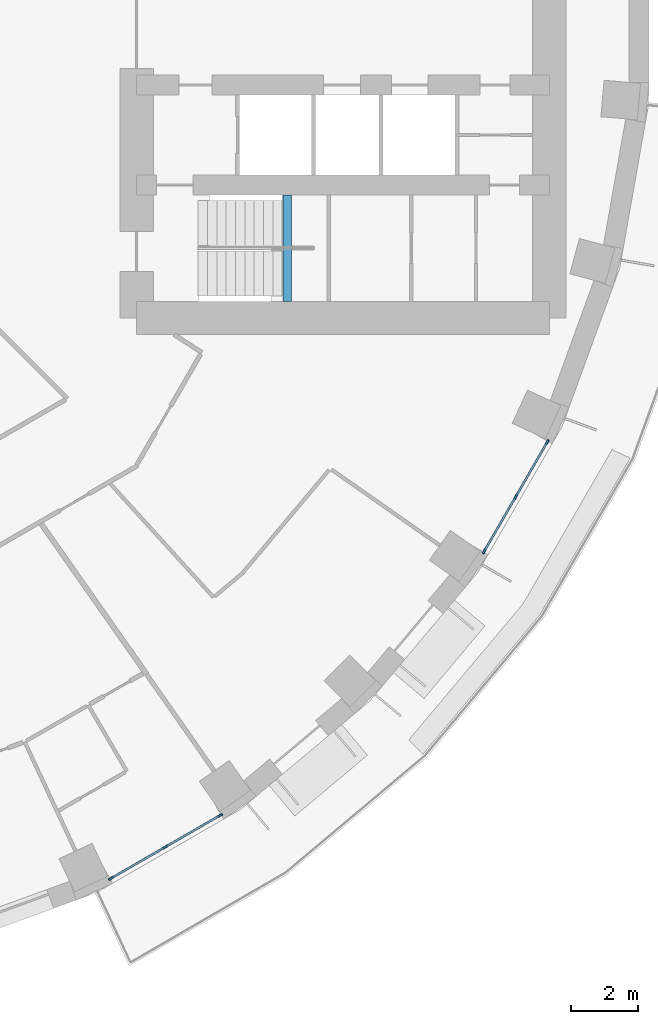
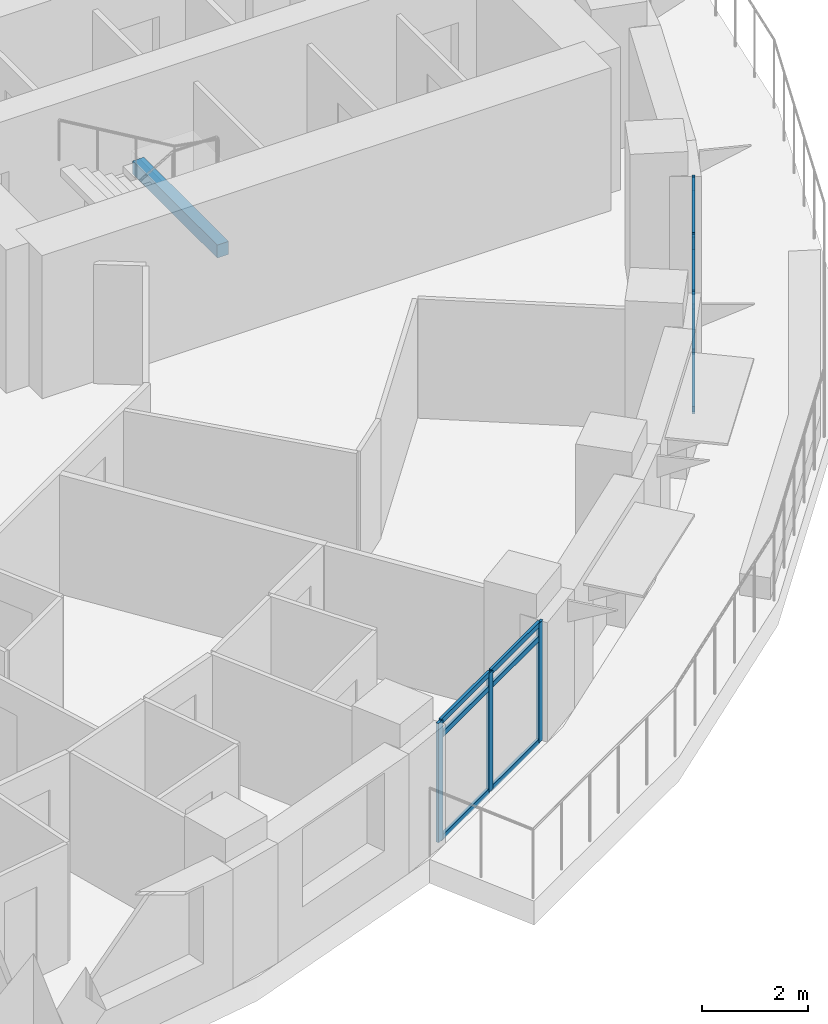
# One storey, part 2 of 15: 18 members, 1 beam, 2 elements without a shape of their own.
"""IFC4 building model written with IfcOpenShell, lengths in metres."""

from ifc_helpers import new_model, si_unit, direction, frame, origin, origin_2d, place, context, subcontext, project, spatial, rectangle, extrude, material, layer, layer_set, material_profile, profile_set, type_object, element, aggregate, save


model = new_model("IFC4")

# Units and contexts
model_context = context("Model", 3, precision=1e-05, world=origin(), true_north=direction((0.0, 1.0)))
body_context = subcontext(model_context, "Body", "Model", "MODEL_VIEW")
ifc_project = project(units=[si_unit("LENGTHUNIT", "METRE"), si_unit("AREAUNIT", "SQUARE_METRE"), si_unit("VOLUMEUNIT", "CUBIC_METRE"), si_unit("PLANEANGLEUNIT", "RADIAN"), si_unit("MASSUNIT", "GRAM", prefix="KILO")], contexts=[model_context])

# Site, building, storey
site_placement = place(None, origin())
site = spatial("IfcSite", under=ifc_project, at=site_placement, CompositionType="ELEMENT")
building_placement = place(site_placement, origin())
building = spatial("IfcBuilding", under=site, at=building_placement, Name="Saqina Gate Tower", CompositionType="ELEMENT")
storey_placement = place(building_placement, frame((0.0, 0.0, 36.199951171875)))
storey = spatial("IfcBuildingStorey", under=building, at=storey_placement, Name="L09", CompositionType="ELEMENT", Elevation=36.199951171875)

# Curtain wall, members
ifc_material_1 = material(Name="Aluminium glazing", Category="aluminium")
ifc_layer = layer(ifc_material_1, 0.159912109375)
ifc_layer_set = layer_set([ifc_layer], Name="CWT-4")
curtain_wall_type = type_object("IfcCurtainWallType", Name="CWT-4", PredefinedType="NOTDEFINED", material=ifc_layer_set)
curtain_wall_1_placement = place(storey_placement, origin())
curtain_wall_1 = element("IfcCurtainWall", 1, at=curtain_wall_1_placement, inside=storey, type_object=curtain_wall_type, Name="Terrace lounge glazing facet 30", PredefinedType="NOTDEFINED")
ifc_material_2 = material(Name="Aluminium", Category="aluminium")
ifc_material_profile_1 = material_profile(ifc_material_2, rectangle(XDim=0.06005859375, YDim=0.159912109375, at=origin_2d()), Name="Aluminium 60x160")
ifc_profile_set_1 = profile_set([ifc_material_profile_1], Name="Aluminium")
member_type_1 = type_object("IfcMemberType", Name="CWT-4M", PredefinedType="MULLION", material=ifc_profile_set_1)
member_1_placement = place(storey_placement, frame((12.73046875, -25.835693359375, 0.0), z_axis=(0.0, 0.0, 1.0), x_axis=(-0.499995552346, 0.866027971624, 0.0)))
member_1 = element("IfcMember", 2, at=member_1_placement, type_object=member_type_1, Name="CW4-30 mullion 1", PredefinedType="MULLION", context=body_context, shape_type="SweptSolid", body=[
    extrude(rectangle(XDim=0.06005859375, YDim=0.159912109375, at=origin_2d()), origin(), (0.0, 0.0, 1.0), 2.75),
])
member_2_placement = place(storey_placement, frame((14.369873046875, -24.88916015625, 0.0), z_axis=(0.0, 0.0, 1.0), x_axis=(-0.499995552346, 0.866027971624, 0.0)))
member_2 = element("IfcMember", 3, at=member_2_placement, type_object=member_type_1, Name="CW4-30 mullion 2", PredefinedType="MULLION", context=body_context, shape_type="SweptSolid", body=[
    extrude(rectangle(XDim=0.06005859375, YDim=0.159912109375, at=origin_2d()), origin(), (0.0, 0.0, 1.0), 2.75),
])
member_3_placement = place(storey_placement, frame((16.009033203125, -23.94287109375, 0.0), z_axis=(0.0, 0.0, 1.0), x_axis=(-0.499995552346, 0.866027971624, 0.0)))
member_3 = element("IfcMember", 4, at=member_3_placement, type_object=member_type_1, Name="CW4-30 mullion 3", PredefinedType="MULLION", context=body_context, shape_type="SweptSolid", body=[
    extrude(rectangle(XDim=0.06005859375, YDim=0.159912109375, at=origin_2d()), origin(), (0.0, 0.0, 1.0), 2.75),
])

curtain_wall_2_placement = place(storey_placement, origin())
curtain_wall_2 = element("IfcCurtainWall", 5, at=curtain_wall_2_placement, inside=storey, type_object=curtain_wall_type, Name="Terrace lounge glazing facet 33", PredefinedType="NOTDEFINED")
member_4_placement = place(storey_placement, frame((23.94287109375, -16.009033203125, 0.0), z_axis=(0.0, 0.0, 1.0), x_axis=(-0.866027971624, 0.499995552346, 0.0)))
member_4 = element("IfcMember", 6, at=member_4_placement, type_object=member_type_1, Name="CW4-33 mullion 1", PredefinedType="MULLION", context=body_context, shape_type="SweptSolid", body=[
    extrude(rectangle(XDim=0.06005859375, YDim=0.159912109375, at=origin_2d()), origin(), (0.0, 0.0, 1.0), 2.75),
])
member_5_placement = place(storey_placement, frame((24.88916015625, -14.369873046875, 0.0), z_axis=(0.0, 0.0, 1.0), x_axis=(-0.866027971624, 0.499995552346, 0.0)))
member_5 = element("IfcMember", 7, at=member_5_placement, type_object=member_type_1, Name="CW4-33 mullion 2", PredefinedType="MULLION", context=body_context, shape_type="SweptSolid", body=[
    extrude(rectangle(XDim=0.06005859375, YDim=0.159912109375, at=origin_2d()), origin(), (0.0, 0.0, 1.0), 2.75),
])
member_6_placement = place(storey_placement, frame((25.835693359375, -12.73046875, 0.0), z_axis=(0.0, 0.0, 1.0), x_axis=(-0.866027971624, 0.499995552346, 0.0)))
member_6 = element("IfcMember", 8, at=member_6_placement, type_object=member_type_1, Name="CW4-33 mullion 3", PredefinedType="MULLION", context=body_context, shape_type="SweptSolid", body=[
    extrude(rectangle(XDim=0.06005859375, YDim=0.159912109375, at=origin_2d()), origin(), (0.0, 0.0, 1.0), 2.75),
])

# Member
ifc_material_3 = material(Name="Aluminium", Category="aluminium")
ifc_material_profile_2 = material_profile(ifc_material_3, rectangle(XDim=0.06005859375, YDim=0.1201171875, at=origin_2d()), Name="Aluminium 60x120")
ifc_profile_set_2 = profile_set([ifc_material_profile_2], Name="Aluminium")
member_type_2 = type_object("IfcMemberType", Name="CWT-4T", PredefinedType="USERDEFINED", material=ifc_profile_set_2)
member_7_placement = place(storey_placement, frame((12.75634765625, -25.82080078125, 0.030029296875), z_axis=(0.8660214502, 0.500006847747, 0.0), x_axis=(-0.500006847747, 0.8660214502, 0.0)))
member_7 = element("IfcMember", 9, at=member_7_placement, type_object=member_type_2, Name="CW4-30 transom 1.1", ObjectType="TRANSOM", PredefinedType="USERDEFINED", context=body_context, shape_type="SweptSolid", body=[
    extrude(rectangle(XDim=0.06005859375, YDim=0.1201171875, at=origin_2d()), origin(), (0.0, 0.0, 1.0), 1.8330078125),
])

member_8_placement = place(storey_placement, frame((12.75634765625, -25.82080078125, 2.400146484375), z_axis=(0.8660214502, 0.500006847747, 0.0), x_axis=(-0.500006847747, 0.8660214502, 0.0)))
member_8 = element("IfcMember", 10, at=member_8_placement, type_object=member_type_2, Name="CW4-30 transom 1.2", ObjectType="TRANSOM", PredefinedType="USERDEFINED", context=body_context, shape_type="SweptSolid", body=[
    extrude(rectangle(XDim=0.06005859375, YDim=0.1201171875, at=origin_2d()), origin(), (0.0, 0.0, 1.0), 1.8330078125),
])

member_9_placement = place(storey_placement, frame((12.75634765625, -25.82080078125, 2.719970703125), z_axis=(0.8660214502, 0.500006847747, 0.0), x_axis=(-0.500006847747, 0.8660214502, 0.0)))
member_9 = element("IfcMember", 11, at=member_9_placement, type_object=member_type_2, Name="CW4-30 transom 1.3", ObjectType="TRANSOM", PredefinedType="USERDEFINED", context=body_context, shape_type="SweptSolid", body=[
    extrude(rectangle(XDim=0.06005859375, YDim=0.1201171875, at=origin_2d()), origin(), (0.0, 0.0, 1.0), 1.8330078125),
])

member_10_placement = place(storey_placement, frame((14.395751953125, -24.874267578125, 0.030029296875), z_axis=(0.8660214502, 0.500006847747, 0.0), x_axis=(-0.500006847747, 0.8660214502, 0.0)))
member_10 = element("IfcMember", 12, at=member_10_placement, type_object=member_type_2, Name="CW4-30 transom 2.1", ObjectType="TRANSOM", PredefinedType="USERDEFINED", context=body_context, shape_type="SweptSolid", body=[
    extrude(rectangle(XDim=0.06005859375, YDim=0.1201171875, at=origin_2d()), origin(), (0.0, 0.0, 1.0), 1.8330078125),
])

member_11_placement = place(storey_placement, frame((14.395751953125, -24.874267578125, 2.400146484375), z_axis=(0.8660214502, 0.500006847747, 0.0), x_axis=(-0.500006847747, 0.8660214502, 0.0)))
member_11 = element("IfcMember", 13, at=member_11_placement, type_object=member_type_2, Name="CW4-30 transom 2.2", ObjectType="TRANSOM", PredefinedType="USERDEFINED", context=body_context, shape_type="SweptSolid", body=[
    extrude(rectangle(XDim=0.06005859375, YDim=0.1201171875, at=origin_2d()), origin(), (0.0, 0.0, 1.0), 1.8330078125),
])

member_12_placement = place(storey_placement, frame((14.395751953125, -24.874267578125, 2.719970703125), z_axis=(0.8660214502, 0.500006847747, 0.0), x_axis=(-0.500006847747, 0.8660214502, 0.0)))
member_12 = element("IfcMember", 14, at=member_12_placement, type_object=member_type_2, Name="CW4-30 transom 2.3", ObjectType="TRANSOM", PredefinedType="USERDEFINED", context=body_context, shape_type="SweptSolid", body=[
    extrude(rectangle(XDim=0.06005859375, YDim=0.1201171875, at=origin_2d()), origin(), (0.0, 0.0, 1.0), 1.8330078125),
])

aggregate(curtain_wall_1, [member_1, member_2, member_3, member_7, member_8, member_9, member_10, member_11, member_12])

member_13_placement = place(storey_placement, frame((23.957763671875, -15.983154296875, 0.030029296875), z_axis=(0.500006847747, 0.8660214502, 0.0), x_axis=(-0.8660214502, 0.500006847747, 0.0)))
member_13 = element("IfcMember", 15, at=member_13_placement, type_object=member_type_2, Name="CW4-33 transom 1.1", ObjectType="TRANSOM", PredefinedType="USERDEFINED", context=body_context, shape_type="SweptSolid", body=[
    extrude(rectangle(XDim=0.06005859375, YDim=0.1201171875, at=origin_2d()), origin(), (0.0, 0.0, 1.0), 1.8330078125),
])

member_14_placement = place(storey_placement, frame((23.957763671875, -15.983154296875, 2.400146484375), z_axis=(0.500006847747, 0.8660214502, 0.0), x_axis=(-0.8660214502, 0.500006847747, 0.0)))
member_14 = element("IfcMember", 16, at=member_14_placement, type_object=member_type_2, Name="CW4-33 transom 1.2", ObjectType="TRANSOM", PredefinedType="USERDEFINED", context=body_context, shape_type="SweptSolid", body=[
    extrude(rectangle(XDim=0.06005859375, YDim=0.1201171875, at=origin_2d()), origin(), (0.0, 0.0, 1.0), 1.8330078125),
])

member_15_placement = place(storey_placement, frame((23.957763671875, -15.983154296875, 2.719970703125), z_axis=(0.500006847747, 0.8660214502, 0.0), x_axis=(-0.8660214502, 0.500006847747, 0.0)))
member_15 = element("IfcMember", 17, at=member_15_placement, type_object=member_type_2, Name="CW4-33 transom 1.3", ObjectType="TRANSOM", PredefinedType="USERDEFINED", context=body_context, shape_type="SweptSolid", body=[
    extrude(rectangle(XDim=0.06005859375, YDim=0.1201171875, at=origin_2d()), origin(), (0.0, 0.0, 1.0), 1.8330078125),
])

member_16_placement = place(storey_placement, frame((24.904296875, -14.34375, 0.030029296875), z_axis=(0.500006847747, 0.8660214502, 0.0), x_axis=(-0.8660214502, 0.500006847747, 0.0)))
member_16 = element("IfcMember", 18, at=member_16_placement, type_object=member_type_2, Name="CW4-33 transom 2.1", ObjectType="TRANSOM", PredefinedType="USERDEFINED", context=body_context, shape_type="SweptSolid", body=[
    extrude(rectangle(XDim=0.06005859375, YDim=0.1201171875, at=origin_2d()), origin(), (0.0, 0.0, 1.0), 1.8330078125),
])

member_17_placement = place(storey_placement, frame((24.904296875, -14.34375, 2.400146484375), z_axis=(0.500006847747, 0.8660214502, 0.0), x_axis=(-0.8660214502, 0.500006847747, 0.0)))
member_17 = element("IfcMember", 19, at=member_17_placement, type_object=member_type_2, Name="CW4-33 transom 2.2", ObjectType="TRANSOM", PredefinedType="USERDEFINED", context=body_context, shape_type="SweptSolid", body=[
    extrude(rectangle(XDim=0.06005859375, YDim=0.1201171875, at=origin_2d()), origin(), (0.0, 0.0, 1.0), 1.8330078125),
])

member_18_placement = place(storey_placement, frame((24.904296875, -14.34375, 2.719970703125), z_axis=(0.500006847747, 0.8660214502, 0.0), x_axis=(-0.8660214502, 0.500006847747, 0.0)))
member_18 = element("IfcMember", 20, at=member_18_placement, type_object=member_type_2, Name="CW4-33 transom 2.3", ObjectType="TRANSOM", PredefinedType="USERDEFINED", context=body_context, shape_type="SweptSolid", body=[
    extrude(rectangle(XDim=0.06005859375, YDim=0.1201171875, at=origin_2d()), origin(), (0.0, 0.0, 1.0), 1.8330078125),
])

aggregate(curtain_wall_2, [member_4, member_5, member_6, member_13, member_14, member_15, member_16, member_17, member_18])

# Beam
ifc_material_4 = material(Name="Concrete C40/50", Category="concrete")
ifc_material_profile_3 = material_profile(ifc_material_4, rectangle(XDim=0.25, YDim=0.300048828125, at=origin_2d()), Name="STAIR LANDING BEAM")
ifc_profile_set_3 = profile_set([ifc_material_profile_3], Name="Concrete C40/50")
beam_type = type_object("IfcBeamType", Name="STAIR LANDING BEAM", PredefinedType="BEAM", material=ifc_profile_set_3)
beam_placement = place(storey_placement, frame((18.02001953125, -8.5, 1.25), z_axis=(0.0, 1.0, 0.0), x_axis=(-1.0, 0.0, 0.0)))
element("IfcBeam", 21, at=beam_placement, inside=storey, type_object=beam_type, Name="EXIT STAIR 2 LANDING BEAM", PredefinedType="BEAM", context=body_context, shape_type="SweptSolid", body=[
    extrude(rectangle(XDim=0.25, YDim=0.300048828125, at=origin_2d()), origin(), (0.0, 0.0, 1.0), 3.199951171875),
])

save(model, "model.ifc")
